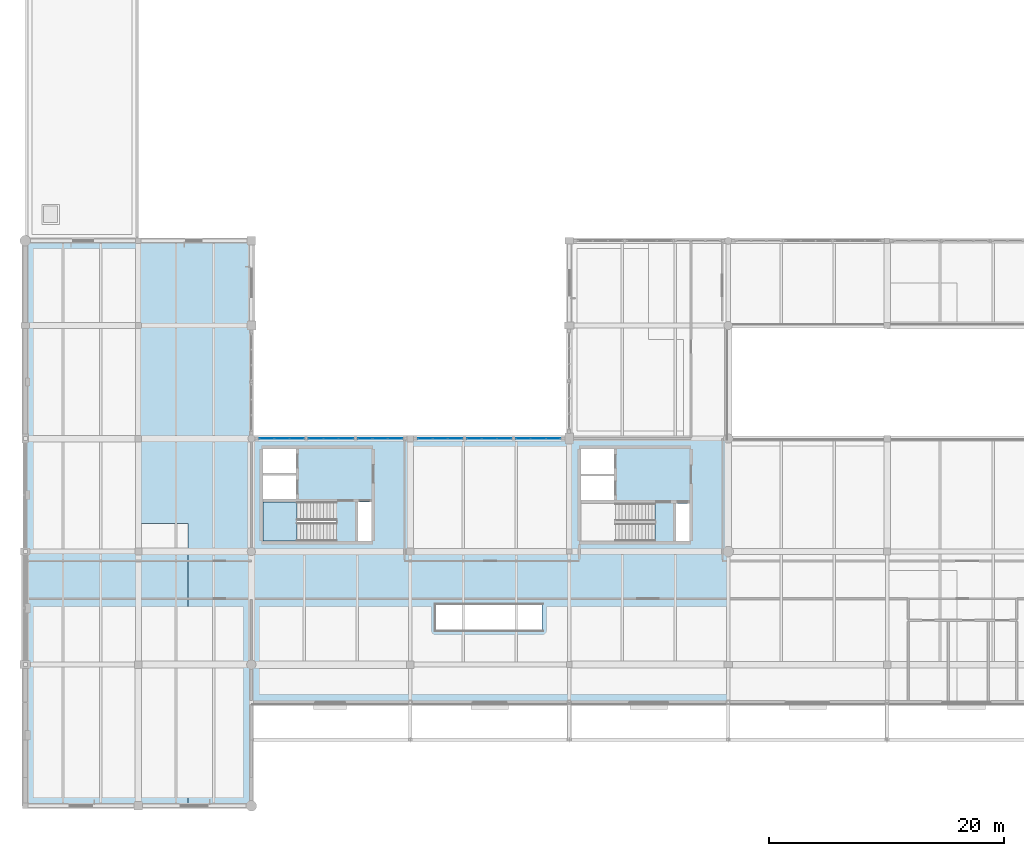
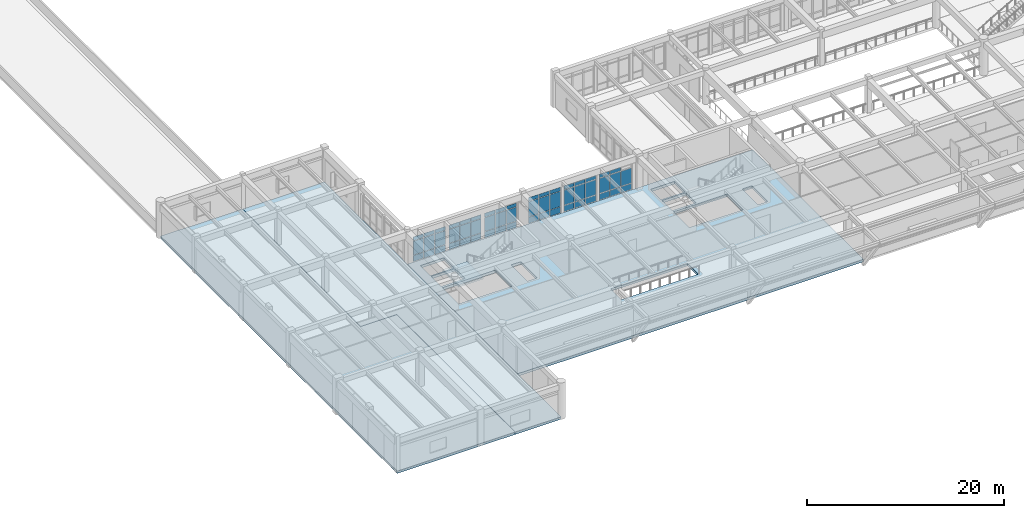
# One storey, part 69 of 109: 53 plates, 4 slabs, 7 elements without a shape of their own.
"""IFC4 building model written with IfcOpenShell, lengths in metres."""

from ifc_helpers import new_model, si_unit, direction, frame, origin, origin_2d, place, context, subcontext, project, spatial, polyline, rectangle, outline, extrude, material, layer, layer_set, type_object, element, aggregate, save


model = new_model("IFC4")

# Units and contexts
model_context = context("Model", 3, precision=1e-05, world=origin(), true_north=direction((0.0, 1.0)))
body_context = subcontext(model_context, "Body", "Model", "MODEL_VIEW")
ifc_project = project(units=[si_unit("LENGTHUNIT", "METRE"), si_unit("AREAUNIT", "SQUARE_METRE"), si_unit("VOLUMEUNIT", "CUBIC_METRE"), si_unit("PLANEANGLEUNIT", "RADIAN"), si_unit("MASSUNIT", "GRAM", prefix="KILO")], contexts=[model_context])

# Site, building, storey
site_placement = place(None, origin())
site = spatial("IfcSite", under=ifc_project, at=site_placement, CompositionType="ELEMENT")
building_placement = place(site_placement, origin())
building = spatial("IfcBuilding", under=site, at=building_placement, Name="Fikremerkos Civic Library", CompositionType="ELEMENT")
storey_placement = place(building_placement, frame((0.0, 0.0, 5.39990234375)))
storey = spatial("IfcBuildingStorey", under=building, at=storey_placement, Name="L01", CompositionType="ELEMENT", Elevation=5.39990234375)

# Curtain wall, plates
ifc_material_1 = material(Name="Anodized aluminium Frame", Category="aluminium")
ifc_layer_1 = layer(ifc_material_1, 0.159912109375, Name="Anodized aluminium Frame")
ifc_layer_set_1 = layer_set([ifc_layer_1], Name="Anodized aluminium Frame")
curtain_wall_type_1 = type_object("IfcCurtainWallType", Name="Unitised curtain wall CW-05 3800x4100", PredefinedType="USERDEFINED", material=ifc_layer_set_1)
curtain_wall_1_placement = place(storey_placement, origin())
curtain_wall_1 = element("IfcCurtainWall", 1, at=curtain_wall_1_placement, inside=storey, type_object=curtain_wall_type_1, Name="Unitised curtain wall CW-05 L01 #77", ObjectType="UNITISED CURTAIN WALL", PredefinedType="USERDEFINED")
ifc_material_2 = material(Name="Solar control double glazing", Category="glass")
ifc_layer_2 = layer(ifc_material_2, 0.028076171875, Name="Solar control double glazing")
ifc_layer_set_2 = layer_set([ifc_layer_2], Name="Solar control double glazing")
plate_type_1 = type_object("IfcPlateType", Name="Curtain glazing panel CWP-01 28", PredefinedType="CURTAIN_PANEL", material=ifc_layer_set_2)
plate_1_placement = place(storey_placement, frame((28.863037109375, 31.199951171875, 0.06005859375), z_axis=(0.0, 0.0, 1.0), x_axis=(1.0, 0.0, 0.0)))
plate_1 = element("IfcPlate", 2, at=plate_1_placement, type_object=plate_type_1, Name="CW-05 panel 1.1", PredefinedType="CURTAIN_PANEL", context=body_context, shape_type="SweptSolid", body=[
    extrude(rectangle(XDim=1.194580078125, YDim=0.028076171875, at=origin_2d()), origin(), (0.0, 0.0, 1.0), 0.760009765625),
])
plate_2_placement = place(storey_placement, frame((28.863037109375, 31.199951171875, 0.880126953125), z_axis=(0.0, 0.0, 1.0), x_axis=(1.0, 0.0, 0.0)))
plate_2 = element("IfcPlate", 3, at=plate_2_placement, type_object=plate_type_1, Name="CW-05 panel 1.2", PredefinedType="CURTAIN_PANEL", context=body_context, shape_type="SweptSolid", body=[
    extrude(rectangle(XDim=1.194580078125, YDim=0.028076171875, at=origin_2d()), origin(), (0.0, 0.0, 1.0), 1.7099609375),
])
plate_3_placement = place(storey_placement, frame((28.863037109375, 31.199951171875, 2.650146484375), z_axis=(0.0, 0.0, 1.0), x_axis=(1.0, 0.0, 0.0)))
plate_3 = element("IfcPlate", 4, at=plate_3_placement, type_object=plate_type_1, Name="CW-05 panel 1.3", PredefinedType="CURTAIN_PANEL", context=body_context, shape_type="SweptSolid", body=[
    extrude(rectangle(XDim=1.194580078125, YDim=0.028076171875, at=origin_2d()), origin(), (0.0, 0.0, 1.0), 0.4599609375),
])
plate_4_placement = place(storey_placement, frame((30.138916015625, 31.199951171875, 0.06005859375), z_axis=(0.0, 0.0, 1.0), x_axis=(1.0, 0.0, 0.0)))
plate_4 = element("IfcPlate", 5, at=plate_4_placement, type_object=plate_type_1, Name="CW-05 panel 2.1", PredefinedType="CURTAIN_PANEL", context=body_context, shape_type="SweptSolid", body=[
    extrude(rectangle(XDim=1.22705078125, YDim=0.028076171875, at=origin_2d()), origin(), (0.0, 0.0, 1.0), 0.760009765625),
])
plate_5_placement = place(storey_placement, frame((30.138916015625, 31.199951171875, 0.880126953125), z_axis=(0.0, 0.0, 1.0), x_axis=(1.0, 0.0, 0.0)))
plate_5 = element("IfcPlate", 6, at=plate_5_placement, type_object=plate_type_1, Name="CW-05 panel 2.2", PredefinedType="CURTAIN_PANEL", context=body_context, shape_type="SweptSolid", body=[
    extrude(rectangle(XDim=1.22705078125, YDim=0.028076171875, at=origin_2d()), origin(), (0.0, 0.0, 1.0), 1.7099609375),
])
plate_6_placement = place(storey_placement, frame((30.138916015625, 31.199951171875, 2.650146484375), z_axis=(0.0, 0.0, 1.0), x_axis=(1.0, 0.0, 0.0)))
plate_6 = element("IfcPlate", 7, at=plate_6_placement, type_object=plate_type_1, Name="CW-05 panel 2.3", PredefinedType="CURTAIN_PANEL", context=body_context, shape_type="SweptSolid", body=[
    extrude(rectangle(XDim=1.22705078125, YDim=0.028076171875, at=origin_2d()), origin(), (0.0, 0.0, 1.0), 0.4599609375),
])
plate_7_placement = place(storey_placement, frame((31.414794921875, 31.199951171875, 0.06005859375), z_axis=(0.0, 0.0, 1.0), x_axis=(1.0, 0.0, 0.0)))
plate_7 = element("IfcPlate", 8, at=plate_7_placement, type_object=plate_type_1, Name="CW-05 panel 3.1", PredefinedType="CURTAIN_PANEL", context=body_context, shape_type="SweptSolid", body=[
    extrude(rectangle(XDim=1.194580078125, YDim=0.028076171875, at=origin_2d()), origin(), (0.0, 0.0, 1.0), 0.760009765625),
])
plate_8_placement = place(storey_placement, frame((31.414794921875, 31.199951171875, 0.880126953125), z_axis=(0.0, 0.0, 1.0), x_axis=(1.0, 0.0, 0.0)))
plate_8 = element("IfcPlate", 9, at=plate_8_placement, type_object=plate_type_1, Name="CW-05 panel 3.2", PredefinedType="CURTAIN_PANEL", context=body_context, shape_type="SweptSolid", body=[
    extrude(rectangle(XDim=1.194580078125, YDim=0.028076171875, at=origin_2d()), origin(), (0.0, 0.0, 1.0), 1.7099609375),
])
plate_9_placement = place(storey_placement, frame((31.414794921875, 31.199951171875, 2.650146484375), z_axis=(0.0, 0.0, 1.0), x_axis=(1.0, 0.0, 0.0)))
plate_9 = element("IfcPlate", 10, at=plate_9_placement, type_object=plate_type_1, Name="CW-05 panel 3.3", PredefinedType="CURTAIN_PANEL", context=body_context, shape_type="SweptSolid", body=[
    extrude(rectangle(XDim=1.194580078125, YDim=0.028076171875, at=origin_2d()), origin(), (0.0, 0.0, 1.0), 0.4599609375),
])
aggregate(curtain_wall_1, [plate_1, plate_2, plate_3, plate_4, plate_5, plate_6, plate_7, plate_8, plate_9])

ifc_layer_3 = layer(ifc_material_1, 0.159912109375, Name="Anodized aluminium Frame")
ifc_layer_set_3 = layer_set([ifc_layer_3], Name="Anodized aluminium Frame")
curtain_wall_type_2 = type_object("IfcCurtainWallType", Name="Unitised curtain wall CW-06 4200x4100", PredefinedType="USERDEFINED", material=ifc_layer_set_3)
curtain_wall_2_placement = place(storey_placement, origin())
curtain_wall_2 = element("IfcCurtainWall", 11, at=curtain_wall_2_placement, inside=storey, type_object=curtain_wall_type_2, Name="Unitised curtain wall CW-06 L01 #78", ObjectType="UNITISED CURTAIN WALL", PredefinedType="USERDEFINED")
ifc_layer_4 = layer(ifc_material_2, 0.035888671875, Name="Solar control double glazing")
ifc_layer_set_4 = layer_set([ifc_layer_4], Name="Solar control double glazing")
plate_type_2 = type_object("IfcPlateType", Name="Curtain glazing panel CWP-02 36", PredefinedType="CURTAIN_PANEL", material=ifc_layer_set_4)
plate_10_placement = place(storey_placement, frame((33.981201171875, 31.199951171875, 0.06005859375), z_axis=(0.0, 0.0, 1.0), x_axis=(1.0, 0.0, 0.0)))
plate_10 = element("IfcPlate", 12, at=plate_10_placement, type_object=plate_type_2, Name="CW-06 panel 1.1", PredefinedType="CURTAIN_PANEL", context=body_context, shape_type="SweptSolid", body=[
    extrude(rectangle(XDim=1.196533203125, YDim=0.035888671875, at=origin_2d()), origin(), (0.0, 0.0, 1.0), 0.760009765625),
])
plate_11_placement = place(storey_placement, frame((33.981201171875, 31.199951171875, 0.8798828125), z_axis=(0.0, 0.0, 1.0), x_axis=(1.0, 0.0, 0.0)))
plate_11 = element("IfcPlate", 13, at=plate_11_placement, type_object=plate_type_2, Name="CW-06 panel 1.2", PredefinedType="CURTAIN_PANEL", context=body_context, shape_type="SweptSolid", body=[
    extrude(rectangle(XDim=1.196533203125, YDim=0.035888671875, at=origin_2d()), origin(), (0.0, 0.0, 1.0), 1.860107421875),
])
plate_12_placement = place(storey_placement, frame((33.981201171875, 31.199951171875, 2.800048828125), z_axis=(0.0, 0.0, 1.0), x_axis=(1.0, 0.0, 0.0)))
plate_12 = element("IfcPlate", 14, at=plate_12_placement, type_object=plate_type_2, Name="CW-06 panel 1.3", PredefinedType="CURTAIN_PANEL", context=body_context, shape_type="SweptSolid", body=[
    extrude(rectangle(XDim=1.196533203125, YDim=0.035888671875, at=origin_2d()), origin(), (0.0, 0.0, 1.0), 0.4599609375),
])
plate_13_placement = place(storey_placement, frame((35.2529296875, 31.199951171875, 0.06005859375), z_axis=(0.0, 0.0, 1.0), x_axis=(1.0, 0.0, 0.0)))
plate_13 = element("IfcPlate", 15, at=plate_13_placement, type_object=plate_type_2, Name="CW-06 panel 2.1", PredefinedType="CURTAIN_PANEL", context=body_context, shape_type="SweptSolid", body=[
    extrude(rectangle(XDim=1.2265625, YDim=0.035888671875, at=origin_2d()), origin(), (0.0, 0.0, 1.0), 0.760009765625),
])
plate_14_placement = place(storey_placement, frame((35.2529296875, 31.199951171875, 0.8798828125), z_axis=(0.0, 0.0, 1.0), x_axis=(1.0, 0.0, 0.0)))
plate_14 = element("IfcPlate", 16, at=plate_14_placement, type_object=plate_type_2, Name="CW-06 panel 2.2", PredefinedType="CURTAIN_PANEL", context=body_context, shape_type="SweptSolid", body=[
    extrude(rectangle(XDim=1.2265625, YDim=0.035888671875, at=origin_2d()), origin(), (0.0, 0.0, 1.0), 1.860107421875),
])
plate_15_placement = place(storey_placement, frame((35.2529296875, 31.199951171875, 2.800048828125), z_axis=(0.0, 0.0, 1.0), x_axis=(1.0, 0.0, 0.0)))
plate_15 = element("IfcPlate", 17, at=plate_15_placement, type_object=plate_type_2, Name="CW-06 panel 2.3", PredefinedType="CURTAIN_PANEL", context=body_context, shape_type="SweptSolid", body=[
    extrude(rectangle(XDim=1.2265625, YDim=0.035888671875, at=origin_2d()), origin(), (0.0, 0.0, 1.0), 0.4599609375),
])
plate_16_placement = place(storey_placement, frame((36.5244140625, 31.199951171875, 0.06005859375), z_axis=(0.0, 0.0, 1.0), x_axis=(1.0, 0.0, 0.0)))
plate_16 = element("IfcPlate", 18, at=plate_16_placement, type_object=plate_type_2, Name="CW-06 panel 3.1", PredefinedType="CURTAIN_PANEL", context=body_context, shape_type="SweptSolid", body=[
    extrude(rectangle(XDim=1.196533203125, YDim=0.035888671875, at=origin_2d()), origin(), (0.0, 0.0, 1.0), 0.760009765625),
])
plate_17_placement = place(storey_placement, frame((36.5244140625, 31.199951171875, 0.8798828125), z_axis=(0.0, 0.0, 1.0), x_axis=(1.0, 0.0, 0.0)))
plate_17 = element("IfcPlate", 19, at=plate_17_placement, type_object=plate_type_2, Name="CW-06 panel 3.2", PredefinedType="CURTAIN_PANEL", context=body_context, shape_type="SweptSolid", body=[
    extrude(rectangle(XDim=1.196533203125, YDim=0.035888671875, at=origin_2d()), origin(), (0.0, 0.0, 1.0), 1.860107421875),
])
plate_18_placement = place(storey_placement, frame((36.5244140625, 31.199951171875, 2.800048828125), z_axis=(0.0, 0.0, 1.0), x_axis=(1.0, 0.0, 0.0)))
plate_18 = element("IfcPlate", 20, at=plate_18_placement, type_object=plate_type_2, Name="CW-06 panel 3.3", PredefinedType="CURTAIN_PANEL", context=body_context, shape_type="SweptSolid", body=[
    extrude(rectangle(XDim=1.196533203125, YDim=0.035888671875, at=origin_2d()), origin(), (0.0, 0.0, 1.0), 0.4599609375),
])
aggregate(curtain_wall_2, [plate_10, plate_11, plate_12, plate_13, plate_14, plate_15, plate_16, plate_17, plate_18])

ifc_layer_5 = layer(ifc_material_1, 0.159912109375, Name="Anodized aluminium Frame")
ifc_layer_set_5 = layer_set([ifc_layer_5], Name="Anodized aluminium Frame")
curtain_wall_type_3 = type_object("IfcCurtainWallType", Name="Unitised curtain wall CW-03 4100x3600", PredefinedType="USERDEFINED", material=ifc_layer_set_5)
curtain_wall_3_placement = place(storey_placement, origin())
curtain_wall_3 = element("IfcCurtainWall", 21, at=curtain_wall_3_placement, inside=storey, type_object=curtain_wall_type_3, Name="Unitised curtain wall CW-03 L01 #75", ObjectType="UNITISED CURTAIN WALL", PredefinedType="USERDEFINED")
ifc_material_3 = material(Name="Insulated aluminium spandrel", Category="aluminium")
ifc_layer_6 = layer(ifc_material_3, 0.044921875, Name="Insulated aluminium spandrel")
ifc_layer_set_6 = layer_set([ifc_layer_6], Name="Insulated aluminium spandrel")
plate_type_3 = type_object("IfcPlateType", Name="Curtain spandrel panel CSP-01 45", PredefinedType="CURTAIN_PANEL", material=ifc_layer_set_6)
plate_19_placement = place(storey_placement, frame((20.509033203125, 31.199951171875, 0.065185546875), z_axis=(0.0, 0.0, 1.0), x_axis=(1.0, 0.0, 0.0)))
plate_19 = element("IfcPlate", 22, at=plate_19_placement, type_object=plate_type_3, Name="CW-03 panel 1.1", PredefinedType="CURTAIN_PANEL", context=body_context, shape_type="SweptSolid", body=[
    extrude(rectangle(XDim=1.2021484375, YDim=0.044921875, at=origin_2d()), origin(), (0.0, 0.0, 1.0), 0.75244140625),
])
plate_20_placement = place(storey_placement, frame((20.509033203125, 31.199951171875, 0.882568359375), z_axis=(0.0, 0.0, 1.0), x_axis=(1.0, 0.0, 0.0)))
plate_20 = element("IfcPlate", 23, at=plate_20_placement, type_object=plate_type_3, Name="CW-03 panel 1.2", PredefinedType="CURTAIN_PANEL", context=body_context, shape_type="SweptSolid", body=[
    extrude(rectangle(XDim=1.2021484375, YDim=0.044921875, at=origin_2d()), origin(), (0.0, 0.0, 1.0), 1.705078125),
])
plate_21_placement = place(storey_placement, frame((20.509033203125, 31.199951171875, 2.65283203125), z_axis=(0.0, 0.0, 1.0), x_axis=(1.0, 0.0, 0.0)))
plate_21 = element("IfcPlate", 24, at=plate_21_placement, type_object=plate_type_3, Name="CW-03 panel 1.3", PredefinedType="CURTAIN_PANEL", context=body_context, shape_type="SweptSolid", body=[
    extrude(rectangle(XDim=1.2021484375, YDim=0.044921875, at=origin_2d()), origin(), (0.0, 0.0, 1.0), 0.452392578125),
])
plate_22_placement = place(storey_placement, frame((21.7861328125, 31.199951171875, 0.065185546875), z_axis=(0.0, 0.0, 1.0), x_axis=(1.0, 0.0, 0.0)))
plate_22 = element("IfcPlate", 25, at=plate_22_placement, type_object=plate_type_3, Name="CW-03 panel 2.1", PredefinedType="CURTAIN_PANEL", context=body_context, shape_type="SweptSolid", body=[
    extrude(rectangle(XDim=1.232177734375, YDim=0.044921875, at=origin_2d()), origin(), (0.0, 0.0, 1.0), 0.75244140625),
])
plate_23_placement = place(storey_placement, frame((21.7861328125, 31.199951171875, 0.882568359375), z_axis=(0.0, 0.0, 1.0), x_axis=(1.0, 0.0, 0.0)))
plate_23 = element("IfcPlate", 26, at=plate_23_placement, type_object=plate_type_3, Name="CW-03 panel 2.2", PredefinedType="CURTAIN_PANEL", context=body_context, shape_type="SweptSolid", body=[
    extrude(rectangle(XDim=1.232177734375, YDim=0.044921875, at=origin_2d()), origin(), (0.0, 0.0, 1.0), 1.705078125),
])
plate_24_placement = place(storey_placement, frame((21.7861328125, 31.199951171875, 2.65283203125), z_axis=(0.0, 0.0, 1.0), x_axis=(1.0, 0.0, 0.0)))
plate_24 = element("IfcPlate", 27, at=plate_24_placement, type_object=plate_type_3, Name="CW-03 panel 2.3", PredefinedType="CURTAIN_PANEL", context=body_context, shape_type="SweptSolid", body=[
    extrude(rectangle(XDim=1.232177734375, YDim=0.044921875, at=origin_2d()), origin(), (0.0, 0.0, 1.0), 0.452392578125),
])
plate_25_placement = place(storey_placement, frame((23.063232421875, 31.199951171875, 0.065185546875), z_axis=(0.0, 0.0, 1.0), x_axis=(1.0, 0.0, 0.0)))
plate_25 = element("IfcPlate", 28, at=plate_25_placement, type_object=plate_type_3, Name="CW-03 panel 3.1", PredefinedType="CURTAIN_PANEL", context=body_context, shape_type="SweptSolid", body=[
    extrude(rectangle(XDim=1.2021484375, YDim=0.044921875, at=origin_2d()), origin(), (0.0, 0.0, 1.0), 0.75244140625),
])
plate_26_placement = place(storey_placement, frame((23.063232421875, 31.199951171875, 0.882568359375), z_axis=(0.0, 0.0, 1.0), x_axis=(1.0, 0.0, 0.0)))
plate_26 = element("IfcPlate", 29, at=plate_26_placement, type_object=plate_type_3, Name="CW-03 panel 3.2", PredefinedType="CURTAIN_PANEL", context=body_context, shape_type="SweptSolid", body=[
    extrude(rectangle(XDim=1.2021484375, YDim=0.044921875, at=origin_2d()), origin(), (0.0, 0.0, 1.0), 1.705078125),
])
plate_27_placement = place(storey_placement, frame((23.063232421875, 31.199951171875, 2.65283203125), z_axis=(0.0, 0.0, 1.0), x_axis=(1.0, 0.0, 0.0)))
plate_27 = element("IfcPlate", 30, at=plate_27_placement, type_object=plate_type_3, Name="CW-03 panel 3.3", PredefinedType="CURTAIN_PANEL", context=body_context, shape_type="SweptSolid", body=[
    extrude(rectangle(XDim=1.2021484375, YDim=0.044921875, at=origin_2d()), origin(), (0.0, 0.0, 1.0), 0.452392578125),
])
aggregate(curtain_wall_3, [plate_19, plate_20, plate_21, plate_22, plate_23, plate_24, plate_25, plate_26, plate_27])

ifc_layer_7 = layer(ifc_material_1, 0.159912109375, Name="Anodized aluminium Frame")
ifc_layer_set_7 = layer_set([ifc_layer_7], Name="Anodized aluminium Frame")
curtain_wall_type_4 = type_object("IfcCurtainWallType", Name="Unitised curtain wall CW-07 3500x4100", PredefinedType="USERDEFINED", material=ifc_layer_set_7)
curtain_wall_4_placement = place(storey_placement, origin())
curtain_wall_4 = element("IfcCurtainWall", 31, at=curtain_wall_4_placement, inside=storey, type_object=curtain_wall_type_4, Name="Unitised curtain wall CW-07 L01 #79", ObjectType="UNITISED CURTAIN WALL", PredefinedType="USERDEFINED")
plate_28_placement = place(storey_placement, frame((38.140869140625, 31.199951171875, 0.070068359375), z_axis=(0.0, 0.0, 1.0), x_axis=(1.0, 0.0, 0.0)))
plate_28 = element("IfcPlate", 32, at=plate_28_placement, type_object=plate_type_3, Name="CW-07 panel 1.1", PredefinedType="CURTAIN_PANEL", context=body_context, shape_type="SweptSolid", body=[
    extrude(rectangle(XDim=1.196533203125, YDim=0.044921875, at=origin_2d()), origin(), (0.0, 0.0, 1.0), 0.7451171875),
])
plate_29_placement = place(storey_placement, frame((38.140869140625, 31.199951171875, 0.885009765625), z_axis=(0.0, 0.0, 1.0), x_axis=(1.0, 0.0, 0.0)))
plate_29 = element("IfcPlate", 33, at=plate_29_placement, type_object=plate_type_3, Name="CW-07 panel 1.2", PredefinedType="CURTAIN_PANEL", context=body_context, shape_type="SweptSolid", body=[
    extrude(rectangle(XDim=1.196533203125, YDim=0.044921875, at=origin_2d()), origin(), (0.0, 0.0, 1.0), 1.85009765625),
])
plate_30_placement = place(storey_placement, frame((38.140869140625, 31.199951171875, 2.80517578125), z_axis=(0.0, 0.0, 1.0), x_axis=(1.0, 0.0, 0.0)))
plate_30 = element("IfcPlate", 34, at=plate_30_placement, type_object=plate_type_3, Name="CW-07 panel 1.3", PredefinedType="CURTAIN_PANEL", context=body_context, shape_type="SweptSolid", body=[
    extrude(rectangle(XDim=1.196533203125, YDim=0.044921875, at=origin_2d()), origin(), (0.0, 0.0, 1.0), 0.445068359375),
])
plate_31_placement = place(storey_placement, frame((39.41259765625, 31.199951171875, 0.070068359375), z_axis=(0.0, 0.0, 1.0), x_axis=(1.0, 0.0, 0.0)))
plate_31 = element("IfcPlate", 35, at=plate_31_placement, type_object=plate_type_3, Name="CW-07 panel 2.1", PredefinedType="CURTAIN_PANEL", context=body_context, shape_type="SweptSolid", body=[
    extrude(rectangle(XDim=1.2265625, YDim=0.044921875, at=origin_2d()), origin(), (0.0, 0.0, 1.0), 0.7451171875),
])
plate_32_placement = place(storey_placement, frame((39.41259765625, 31.199951171875, 0.885009765625), z_axis=(0.0, 0.0, 1.0), x_axis=(1.0, 0.0, 0.0)))
plate_32 = element("IfcPlate", 36, at=plate_32_placement, type_object=plate_type_3, Name="CW-07 panel 2.2", PredefinedType="CURTAIN_PANEL", context=body_context, shape_type="SweptSolid", body=[
    extrude(rectangle(XDim=1.2265625, YDim=0.044921875, at=origin_2d()), origin(), (0.0, 0.0, 1.0), 1.85009765625),
])
plate_33_placement = place(storey_placement, frame((39.41259765625, 31.199951171875, 2.80517578125), z_axis=(0.0, 0.0, 1.0), x_axis=(1.0, 0.0, 0.0)))
plate_33 = element("IfcPlate", 37, at=plate_33_placement, type_object=plate_type_3, Name="CW-07 panel 2.3", PredefinedType="CURTAIN_PANEL", context=body_context, shape_type="SweptSolid", body=[
    extrude(rectangle(XDim=1.2265625, YDim=0.044921875, at=origin_2d()), origin(), (0.0, 0.0, 1.0), 0.445068359375),
])
plate_34_placement = place(storey_placement, frame((40.68408203125, 31.199951171875, 0.070068359375), z_axis=(0.0, 0.0, 1.0), x_axis=(1.0, 0.0, 0.0)))
plate_34 = element("IfcPlate", 38, at=plate_34_placement, type_object=plate_type_3, Name="CW-07 panel 3.1", PredefinedType="CURTAIN_PANEL", context=body_context, shape_type="SweptSolid", body=[
    extrude(rectangle(XDim=1.196533203125, YDim=0.044921875, at=origin_2d()), origin(), (0.0, 0.0, 1.0), 0.7451171875),
])
plate_35_placement = place(storey_placement, frame((40.68408203125, 31.199951171875, 0.885009765625), z_axis=(0.0, 0.0, 1.0), x_axis=(1.0, 0.0, 0.0)))
plate_35 = element("IfcPlate", 39, at=plate_35_placement, type_object=plate_type_3, Name="CW-07 panel 3.2", PredefinedType="CURTAIN_PANEL", context=body_context, shape_type="SweptSolid", body=[
    extrude(rectangle(XDim=1.196533203125, YDim=0.044921875, at=origin_2d()), origin(), (0.0, 0.0, 1.0), 1.85009765625),
])
plate_36_placement = place(storey_placement, frame((40.68408203125, 31.199951171875, 2.80517578125), z_axis=(0.0, 0.0, 1.0), x_axis=(1.0, 0.0, 0.0)))
plate_36 = element("IfcPlate", 40, at=plate_36_placement, type_object=plate_type_3, Name="CW-07 panel 3.3", PredefinedType="CURTAIN_PANEL", context=body_context, shape_type="SweptSolid", body=[
    extrude(rectangle(XDim=1.196533203125, YDim=0.044921875, at=origin_2d()), origin(), (0.0, 0.0, 1.0), 0.445068359375),
])
aggregate(curtain_wall_4, [plate_28, plate_29, plate_30, plate_31, plate_32, plate_33, plate_34, plate_35, plate_36])

ifc_layer_8 = layer(ifc_material_1, 0.159912109375, Name="Anodized aluminium Frame")
ifc_layer_set_8 = layer_set([ifc_layer_8], Name="Anodized aluminium Frame")
curtain_wall_type_5 = type_object("IfcCurtainWallType", Name="Unitised curtain wall CW-04 3400x3600", PredefinedType="USERDEFINED", material=ifc_layer_set_8)
curtain_wall_5_placement = place(storey_placement, origin())
curtain_wall_5 = element("IfcCurtainWall", 41, at=curtain_wall_5_placement, inside=storey, type_object=curtain_wall_type_5, Name="Unitised curtain wall CW-04 L01 #76", ObjectType="UNITISED CURTAIN WALL", PredefinedType="USERDEFINED")
ifc_layer_9 = layer(ifc_material_3, 0.054931640625, Name="Insulated aluminium spandrel")
ifc_layer_set_9 = layer_set([ifc_layer_9], Name="Insulated aluminium spandrel")
plate_type_4 = type_object("IfcPlateType", Name="Curtain spandrel panel CSP-02 55", PredefinedType="CURTAIN_PANEL", material=ifc_layer_set_9)
plate_37_placement = place(storey_placement, frame((24.685302734375, 31.199951171875, 0.065185546875), z_axis=(0.0, 0.0, 1.0), x_axis=(1.0, 0.0, 0.0)))
plate_37 = element("IfcPlate", 42, at=plate_37_placement, type_object=plate_type_4, Name="CW-04 panel 1.1", PredefinedType="CURTAIN_PANEL", context=body_context, shape_type="SweptSolid", body=[
    extrude(rectangle(XDim=1.2021484375, YDim=0.054931640625, at=origin_2d()), origin(), (0.0, 0.0, 1.0), 0.75244140625),
])
plate_38_placement = place(storey_placement, frame((24.685302734375, 31.199951171875, 0.882568359375), z_axis=(0.0, 0.0, 1.0), x_axis=(1.0, 0.0, 0.0)))
plate_38 = element("IfcPlate", 43, at=plate_38_placement, type_object=plate_type_4, Name="CW-04 panel 1.2", PredefinedType="CURTAIN_PANEL", context=body_context, shape_type="SweptSolid", body=[
    extrude(rectangle(XDim=1.2021484375, YDim=0.054931640625, at=origin_2d()), origin(), (0.0, 0.0, 1.0), 1.705078125),
])
plate_39_placement = place(storey_placement, frame((24.685302734375, 31.199951171875, 2.65283203125), z_axis=(0.0, 0.0, 1.0), x_axis=(1.0, 0.0, 0.0)))
plate_39 = element("IfcPlate", 44, at=plate_39_placement, type_object=plate_type_4, Name="CW-04 panel 1.3", PredefinedType="CURTAIN_PANEL", context=body_context, shape_type="SweptSolid", body=[
    extrude(rectangle(XDim=1.2021484375, YDim=0.054931640625, at=origin_2d()), origin(), (0.0, 0.0, 1.0), 0.452392578125),
])
plate_40_placement = place(storey_placement, frame((25.96240234375, 31.199951171875, 0.065185546875), z_axis=(0.0, 0.0, 1.0), x_axis=(1.0, 0.0, 0.0)))
plate_40 = element("IfcPlate", 45, at=plate_40_placement, type_object=plate_type_4, Name="CW-04 panel 2.1", PredefinedType="CURTAIN_PANEL", context=body_context, shape_type="SweptSolid", body=[
    extrude(rectangle(XDim=1.232177734375, YDim=0.054931640625, at=origin_2d()), origin(), (0.0, 0.0, 1.0), 0.75244140625),
])
plate_41_placement = place(storey_placement, frame((25.96240234375, 31.199951171875, 0.882568359375), z_axis=(0.0, 0.0, 1.0), x_axis=(1.0, 0.0, 0.0)))
plate_41 = element("IfcPlate", 46, at=plate_41_placement, type_object=plate_type_4, Name="CW-04 panel 2.2", PredefinedType="CURTAIN_PANEL", context=body_context, shape_type="SweptSolid", body=[
    extrude(rectangle(XDim=1.232177734375, YDim=0.054931640625, at=origin_2d()), origin(), (0.0, 0.0, 1.0), 1.705078125),
])
plate_42_placement = place(storey_placement, frame((25.96240234375, 31.199951171875, 2.65283203125), z_axis=(0.0, 0.0, 1.0), x_axis=(1.0, 0.0, 0.0)))
plate_42 = element("IfcPlate", 47, at=plate_42_placement, type_object=plate_type_4, Name="CW-04 panel 2.3", PredefinedType="CURTAIN_PANEL", context=body_context, shape_type="SweptSolid", body=[
    extrude(rectangle(XDim=1.232177734375, YDim=0.054931640625, at=origin_2d()), origin(), (0.0, 0.0, 1.0), 0.452392578125),
])
plate_43_placement = place(storey_placement, frame((27.239501953125, 31.199951171875, 0.065185546875), z_axis=(0.0, 0.0, 1.0), x_axis=(1.0, 0.0, 0.0)))
plate_43 = element("IfcPlate", 48, at=plate_43_placement, type_object=plate_type_4, Name="CW-04 panel 3.1", PredefinedType="CURTAIN_PANEL", context=body_context, shape_type="SweptSolid", body=[
    extrude(rectangle(XDim=1.2021484375, YDim=0.054931640625, at=origin_2d()), origin(), (0.0, 0.0, 1.0), 0.75244140625),
])
plate_44_placement = place(storey_placement, frame((27.239501953125, 31.199951171875, 0.882568359375), z_axis=(0.0, 0.0, 1.0), x_axis=(1.0, 0.0, 0.0)))
plate_44 = element("IfcPlate", 49, at=plate_44_placement, type_object=plate_type_4, Name="CW-04 panel 3.2", PredefinedType="CURTAIN_PANEL", context=body_context, shape_type="SweptSolid", body=[
    extrude(rectangle(XDim=1.2021484375, YDim=0.054931640625, at=origin_2d()), origin(), (0.0, 0.0, 1.0), 1.705078125),
])
plate_45_placement = place(storey_placement, frame((27.239501953125, 31.199951171875, 2.65283203125), z_axis=(0.0, 0.0, 1.0), x_axis=(1.0, 0.0, 0.0)))
plate_45 = element("IfcPlate", 50, at=plate_45_placement, type_object=plate_type_4, Name="CW-04 panel 3.3", PredefinedType="CURTAIN_PANEL", context=body_context, shape_type="SweptSolid", body=[
    extrude(rectangle(XDim=1.2021484375, YDim=0.054931640625, at=origin_2d()), origin(), (0.0, 0.0, 1.0), 0.452392578125),
])
aggregate(curtain_wall_5, [plate_37, plate_38, plate_39, plate_40, plate_41, plate_42, plate_43, plate_44, plate_45])

ifc_layer_10 = layer(ifc_material_1, 0.159912109375, Name="Anodized aluminium Frame")
ifc_layer_set_10 = layer_set([ifc_layer_10], Name="Anodized aluminium Frame")
curtain_wall_type_6 = type_object("IfcCurtainWallType", Name="Unitised curtain wall CW-08 4500x4100", PredefinedType="USERDEFINED", material=ifc_layer_set_10)
curtain_wall_6_placement = place(storey_placement, origin())
curtain_wall_6 = element("IfcCurtainWall", 51, at=curtain_wall_6_placement, inside=storey, type_object=curtain_wall_type_6, Name="Unitised curtain wall CW-08 L01 #80", ObjectType="UNITISED CURTAIN WALL", PredefinedType="USERDEFINED")
plate_46_placement = place(storey_placement, frame((42.300537109375, 31.199951171875, 0.070068359375), z_axis=(0.0, 0.0, 1.0), x_axis=(1.0, 0.0, 0.0)))
plate_46 = element("IfcPlate", 52, at=plate_46_placement, type_object=plate_type_4, Name="CW-08 panel 1.1", PredefinedType="CURTAIN_PANEL", context=body_context, shape_type="SweptSolid", body=[
    extrude(rectangle(XDim=1.196533203125, YDim=0.054931640625, at=origin_2d()), origin(), (0.0, 0.0, 1.0), 0.7451171875),
])
plate_47_placement = place(storey_placement, frame((42.300537109375, 31.199951171875, 0.885009765625), z_axis=(0.0, 0.0, 1.0), x_axis=(1.0, 0.0, 0.0)))
plate_47 = element("IfcPlate", 53, at=plate_47_placement, type_object=plate_type_4, Name="CW-08 panel 1.2", PredefinedType="CURTAIN_PANEL", context=body_context, shape_type="SweptSolid", body=[
    extrude(rectangle(XDim=1.196533203125, YDim=0.054931640625, at=origin_2d()), origin(), (0.0, 0.0, 1.0), 1.85009765625),
])
plate_48_placement = place(storey_placement, frame((42.300537109375, 31.199951171875, 2.80517578125), z_axis=(0.0, 0.0, 1.0), x_axis=(1.0, 0.0, 0.0)))
plate_48 = element("IfcPlate", 54, at=plate_48_placement, type_object=plate_type_4, Name="CW-08 panel 1.3", PredefinedType="CURTAIN_PANEL", context=body_context, shape_type="SweptSolid", body=[
    extrude(rectangle(XDim=1.196533203125, YDim=0.054931640625, at=origin_2d()), origin(), (0.0, 0.0, 1.0), 0.445068359375),
])
plate_49_placement = place(storey_placement, frame((43.572265625, 31.199951171875, 0.070068359375), z_axis=(0.0, 0.0, 1.0), x_axis=(1.0, 0.0, 0.0)))
plate_49 = element("IfcPlate", 55, at=plate_49_placement, type_object=plate_type_4, Name="CW-08 panel 2.1", PredefinedType="CURTAIN_PANEL", context=body_context, shape_type="SweptSolid", body=[
    extrude(rectangle(XDim=1.2265625, YDim=0.054931640625, at=origin_2d()), origin(), (0.0, 0.0, 1.0), 0.7451171875),
])
plate_50_placement = place(storey_placement, frame((43.572265625, 31.199951171875, 0.885009765625), z_axis=(0.0, 0.0, 1.0), x_axis=(1.0, 0.0, 0.0)))
plate_50 = element("IfcPlate", 56, at=plate_50_placement, type_object=plate_type_4, Name="CW-08 panel 2.2", PredefinedType="CURTAIN_PANEL", context=body_context, shape_type="SweptSolid", body=[
    extrude(rectangle(XDim=1.2265625, YDim=0.054931640625, at=origin_2d()), origin(), (0.0, 0.0, 1.0), 1.85009765625),
])
plate_51_placement = place(storey_placement, frame((43.572265625, 31.199951171875, 2.80517578125), z_axis=(0.0, 0.0, 1.0), x_axis=(1.0, 0.0, 0.0)))
plate_51 = element("IfcPlate", 57, at=plate_51_placement, type_object=plate_type_4, Name="CW-08 panel 2.3", PredefinedType="CURTAIN_PANEL", context=body_context, shape_type="SweptSolid", body=[
    extrude(rectangle(XDim=1.2265625, YDim=0.054931640625, at=origin_2d()), origin(), (0.0, 0.0, 1.0), 0.445068359375),
])
plate_52_placement = place(storey_placement, frame((44.84375, 31.199951171875, 0.070068359375), z_axis=(0.0, 0.0, 1.0), x_axis=(1.0, 0.0, 0.0)))
plate_52 = element("IfcPlate", 58, at=plate_52_placement, type_object=plate_type_4, Name="CW-08 panel 3.1", PredefinedType="CURTAIN_PANEL", context=body_context, shape_type="SweptSolid", body=[
    extrude(rectangle(XDim=1.196533203125, YDim=0.054931640625, at=origin_2d()), origin(), (0.0, 0.0, 1.0), 0.7451171875),
])
plate_53_placement = place(storey_placement, frame((44.84375, 31.199951171875, 0.885009765625), z_axis=(0.0, 0.0, 1.0), x_axis=(1.0, 0.0, 0.0)))
plate_53 = element("IfcPlate", 59, at=plate_53_placement, type_object=plate_type_4, Name="CW-08 panel 3.2", PredefinedType="CURTAIN_PANEL", context=body_context, shape_type="SweptSolid", body=[
    extrude(rectangle(XDim=1.196533203125, YDim=0.054931640625, at=origin_2d()), origin(), (0.0, 0.0, 1.0), 1.85009765625),
])
aggregate(curtain_wall_6, [plate_46, plate_47, plate_48, plate_49, plate_50, plate_51, plate_52, plate_53])

# Stair, slab
ifc_material_4 = material(Name="Concrete C40/50", Category="concrete")
stair_type = type_object("IfcStairType", Name="Half turn stair ST-HT-03 W1550 H4500", PredefinedType="HALF_TURN_STAIR", material=ifc_material_4)
stair_placement = place(storey_placement, origin())
stair = element("IfcStair", 60, at=stair_placement, inside=storey, type_object=stair_type, Name="L01 ST-K1", PredefinedType="HALF_TURN_STAIR")
ifc_layer_11 = layer(ifc_material_4, 0.199951171875, Name="Concrete C40/50")
ifc_layer_set_11 = layer_set([ifc_layer_11], Name="Concrete C40/50")
slab_type_1 = type_object("IfcSlabType", Name="Stair landing slab SLS-01 200", PredefinedType="LANDING", material=ifc_layer_set_11)
slab_1_placement = place(storey_placement, frame((0.0, 0.0, 2.050048828125)))
slab_1 = element("IfcSlab", 61, at=slab_1_placement, type_object=slab_type_1, Name="ST-K1 landing 1", PredefinedType="LANDING", context=body_context, shape_type="SweptSolid", body=[
    extrude(outline(polyline([(23.090087890625, 25.800048828125), (20.199951171875, 25.800048828125), (20.199951171875, 22.5), (23.090087890625, 22.5), (23.090087890625, 25.800048828125)])), origin(), (0.0, 0.0, 1.0), 0.199951171875),
])
aggregate(stair, [slab_1])

# Slabs
ifc_layer_12 = layer(ifc_material_4, 0.320068359375, Name="Concrete C40/50")
ifc_layer_set_12 = layer_set([ifc_layer_12], Name="Concrete C40/50")
slab_type_2 = type_object("IfcSlabType", Name="Suspended floor slab SFS-02 320", PredefinedType="FLOOR", material=ifc_layer_set_12)
slab_2_placement = place(storey_placement, frame((0.0, 0.0, -0.31982421875)))
element("IfcSlab", 62, at=slab_2_placement, inside=storey, type_object=slab_type_2, Name="Floor slab SFS-02 SLB-L01-V4-C-1", PredefinedType="FLOOR", context=body_context, shape_type="SweptSolid", body=[
    extrude(outline(polyline([(19.199951171875, 8.800048828125), (59.699951171875, 8.800048828125), (59.699951171875, 31.199951171875), (19.199951171875, 31.199951171875), (19.199951171875, 8.800048828125)]), holes=[polyline([(20.199951171875, 22.5), (26.449951171875, 22.5), (26.449951171875, 25.800048828125), (20.199951171875, 25.800048828125), (20.199951171875, 22.5)]), polyline([(20.199951171875, 26.06005859375), (23.0, 26.06005859375), (23.0, 28.10009765625), (20.199951171875, 28.10009765625), (20.199951171875, 26.06005859375)]), polyline([(20.199951171875, 28.260009765625), (23.0, 28.260009765625), (23.0, 30.300048828125), (20.199951171875, 30.300048828125), (20.199951171875, 28.260009765625)]), polyline([(28.260009765625, 22.5), (29.39990234375, 22.5), (29.39990234375, 25.800048828125), (28.260009765625, 25.800048828125), (28.260009765625, 22.5)]), polyline([(47.199951171875, 22.5), (53.5, 22.5), (53.5, 25.699951171875), (47.199951171875, 25.699951171875), (47.199951171875, 22.5)]), polyline([(47.199951171875, 25.9599609375), (50.0, 25.9599609375), (50.0, 28.0), (47.199951171875, 28.0), (47.199951171875, 25.9599609375)]), polyline([(47.199951171875, 28.199951171875), (50.0, 28.199951171875), (50.0, 30.300048828125), (47.199951171875, 30.300048828125), (47.199951171875, 28.199951171875)]), polyline([(55.260009765625, 22.5), (56.39990234375, 22.5), (56.39990234375, 25.699951171875), (55.260009765625, 25.699951171875), (55.260009765625, 22.5)]), polyline([(34.860107421875, 14.89990234375), (43.89990234375, 14.89990234375), (43.89990234375, 17.10009765625), (34.860107421875, 17.10009765625), (34.860107421875, 14.89990234375)])]), origin(), (0.0, 0.0, 1.0), 0.31982421875),
])
ifc_layer_13 = layer(ifc_material_4, 0.300048828125, Name="Concrete C40/50")
ifc_layer_set_13 = layer_set([ifc_layer_13], Name="Concrete C40/50")
slab_type_3 = type_object("IfcSlabType", Name="Suspended floor slab SFS-03 300", PredefinedType="FLOOR", material=ifc_layer_set_13)
slab_3_placement = place(storey_placement, frame((0.0, 0.0, -0.2998046875)))
element("IfcSlab", 63, at=slab_3_placement, inside=storey, type_object=slab_type_3, Name="Floor slab SFS-03 SLB-L01-V5-S-1L1", PredefinedType="FLOOR", context=body_context, shape_type="SweptSolid", body=[
    extrude(outline(polyline([(0.0, 0.0), (13.820068359375, 0.0), (13.820068359375, 23.99609375), (9.595947265625, 23.99609375), (9.595947265625, 48.0), (0.0, 48.0), (0.0, 0.0)])), origin(), (0.0, 0.0, 1.0), 0.2998046875),
])
slab_4_placement = place(storey_placement, frame((0.0, 0.0, -0.2998046875)))
element("IfcSlab", 64, at=slab_4_placement, inside=storey, type_object=slab_type_3, Name="Floor slab SFS-03 SLB-L01-V5-S-1L2", PredefinedType="FLOOR", context=body_context, shape_type="SweptSolid", body=[
    extrude(outline(polyline([(13.827880859375, 0.0), (19.199951171875, 0.0), (19.199951171875, 48.0), (9.60400390625, 48.0), (9.60400390625, 24.00390625), (13.827880859375, 24.00390625), (13.827880859375, 0.0)])), origin(), (0.0, 0.0, 1.0), 0.2998046875),
])

save(model, "model.ifc")
